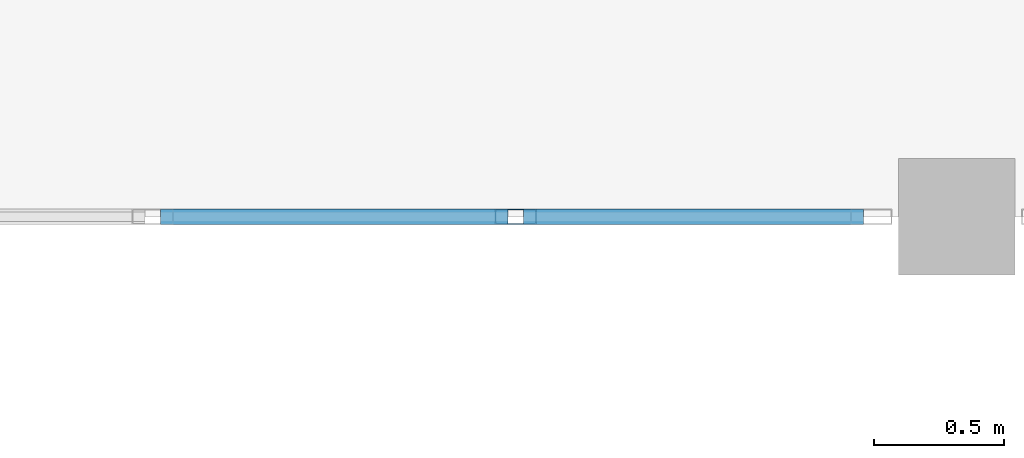
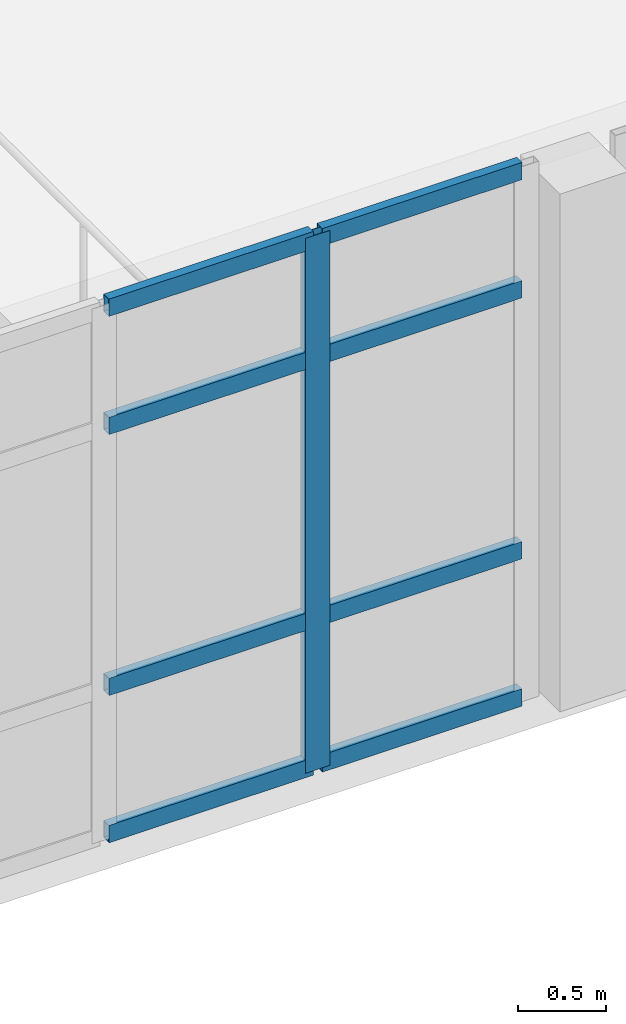
# One storey, part 74 of 156: 9 members, 1 element without a shape of its own.
"""IFC4 building model written with IfcOpenShell, lengths in metres."""

from ifc_helpers import new_model, si_unit, direction, frame, origin, origin_2d, place, context, subcontext, project, spatial, hollow_rectangle, extrude, material, layer, layer_set, material_profile, profile_set, type_object, element, aggregate, save


model = new_model("IFC4")

# Units and contexts
model_context = context("Model", 3, precision=1e-05, world=origin(), true_north=direction((0.0, 1.0)))
body_context = subcontext(model_context, "Body", "Model", "MODEL_VIEW")
ifc_project = project(units=[si_unit("LENGTHUNIT", "METRE"), si_unit("AREAUNIT", "SQUARE_METRE"), si_unit("VOLUMEUNIT", "CUBIC_METRE"), si_unit("PLANEANGLEUNIT", "RADIAN"), si_unit("MASSUNIT", "GRAM", prefix="KILO")], contexts=[model_context])

# Site, building, storey
site_placement = place(None, origin())
site = spatial("IfcSite", under=ifc_project, at=site_placement, CompositionType="ELEMENT")
building_placement = place(site_placement, origin())
building = spatial("IfcBuilding", under=site, at=building_placement, Name="Ornek Quay Market", CompositionType="ELEMENT")
storey_placement = place(building_placement, frame((0.0, 0.0, 4.5)))
storey = spatial("IfcBuildingStorey", under=building, at=storey_placement, Name="L01", CompositionType="ELEMENT", Elevation=4.5)

# Curtain wall, members
ifc_material_1 = material(Name="Anodised bronze aluminium and triple low-e glass", Category="aluminium")
ifc_layer = layer(ifc_material_1, 0.179931640625, Name="Anodised bronze aluminium and triple low-e glass", Category="aluminium")
ifc_layer_set = layer_set([ifc_layer], Name="Anodised bronze aluminium and triple low-e glass")
curtain_wall_type = type_object("IfcCurtainWallType", Name="CW-CONC-MOD1500", PredefinedType="USERDEFINED", material=ifc_layer_set)
curtain_wall_placement = place(storey_placement, origin())
curtain_wall = element("IfcCurtainWall", 1, at=curtain_wall_placement, inside=storey, type_object=curtain_wall_type, Name="Curtain wall CW-040", ObjectType="CURTAIN WALL", PredefinedType="USERDEFINED")
ifc_material_2 = material(Name="Anodised aluminium 6063-T6", Category="aluminium")
ifc_material_profile_1 = material_profile(ifc_material_2, hollow_rectangle(XDim=0.06005859375, YDim=0.159912109375, WallThickness=0.00390625, at=origin_2d()), Name="CW-MUL-60x160", Category="aluminium")
ifc_profile_set_1 = profile_set([ifc_material_profile_1], Name="Anodised aluminium 6063-T6")
member_type_1 = type_object("IfcMemberType", Name="CW-MUL-60x160", PredefinedType="MULLION", material=ifc_profile_set_1)
member_1_placement = place(storey_placement, frame((142.300048828125, 20.0, 0.0), z_axis=(0.0, 0.0, 1.0), x_axis=(0.0, 1.0, 0.0)))
member_1 = element("IfcMember", 2, at=member_1_placement, type_object=member_type_1, Name="CW-040 mullion 6", PredefinedType="MULLION", context=body_context, shape_type="SweptSolid", body=[
    extrude(hollow_rectangle(XDim=0.06005859375, YDim=0.159912109375, WallThickness=0.00390625, at=origin_2d()), origin(), (0.0, 0.0, 1.0), 3.7099609375),
])
ifc_material_profile_2 = material_profile(ifc_material_2, hollow_rectangle(XDim=0.06005859375, YDim=0.1201171875, WallThickness=0.00390625, at=origin_2d()), Name="CW-TRN-60x120", Category="aluminium")
ifc_profile_set_2 = profile_set([ifc_material_profile_2], Name="Anodised aluminium 6063-T6")
member_type_2 = type_object("IfcMemberType", Name="CW-TRN-60x120", PredefinedType="USERDEFINED", material=ifc_profile_set_2)
member_2_placement = place(storey_placement, frame((140.929931640625, 20.0, 0.030029296875), z_axis=(1.0, 0.0, 0.0), x_axis=(0.0, 1.0, 0.0)))
member_2 = element("IfcMember", 3, at=member_2_placement, type_object=member_type_2, Name="CW-040 transom 5.1", ObjectType="TRANSOM", PredefinedType="USERDEFINED", context=body_context, shape_type="SweptSolid", body=[
    extrude(hollow_rectangle(XDim=0.06005859375, YDim=0.1201171875, WallThickness=0.00390625, at=origin_2d()), origin(), (0.0, 0.0, 1.0), 1.340087890625),
])
member_3_placement = place(storey_placement, frame((140.929931640625, 20.0, 1.050048828125), z_axis=(1.0, 0.0, 0.0), x_axis=(0.0, 1.0, 0.0)))
member_3 = element("IfcMember", 4, at=member_3_placement, type_object=member_type_2, Name="CW-040 transom 5.2", ObjectType="TRANSOM", PredefinedType="USERDEFINED", context=body_context, shape_type="SweptSolid", body=[
    extrude(hollow_rectangle(XDim=0.06005859375, YDim=0.1201171875, WallThickness=0.00390625, at=origin_2d()), origin(), (0.0, 0.0, 1.0), 1.340087890625),
])
member_4_placement = place(storey_placement, frame((140.929931640625, 20.0, 2.860107421875), z_axis=(1.0, 0.0, 0.0), x_axis=(0.0, 1.0, 0.0)))
member_4 = element("IfcMember", 5, at=member_4_placement, type_object=member_type_2, Name="CW-040 transom 5.3", ObjectType="TRANSOM", PredefinedType="USERDEFINED", context=body_context, shape_type="SweptSolid", body=[
    extrude(hollow_rectangle(XDim=0.06005859375, YDim=0.1201171875, WallThickness=0.00390625, at=origin_2d()), origin(), (0.0, 0.0, 1.0), 1.340087890625),
])
member_5_placement = place(storey_placement, frame((140.929931640625, 20.0, 3.679931640625), z_axis=(1.0, 0.0, 0.0), x_axis=(0.0, 1.0, 0.0)))
member_5 = element("IfcMember", 6, at=member_5_placement, type_object=member_type_2, Name="CW-040 transom 5.4", ObjectType="TRANSOM", PredefinedType="USERDEFINED", context=body_context, shape_type="SweptSolid", body=[
    extrude(hollow_rectangle(XDim=0.06005859375, YDim=0.1201171875, WallThickness=0.00390625, at=origin_2d()), origin(), (0.0, 0.0, 1.0), 1.340087890625),
])
member_6_placement = place(storey_placement, frame((142.330078125, 20.0, 0.030029296875), z_axis=(1.0, 0.0, 0.0), x_axis=(0.0, 1.0, 0.0)))
member_6 = element("IfcMember", 7, at=member_6_placement, type_object=member_type_2, Name="CW-040 transom 6.1", ObjectType="TRANSOM", PredefinedType="USERDEFINED", context=body_context, shape_type="SweptSolid", body=[
    extrude(hollow_rectangle(XDim=0.06005859375, YDim=0.1201171875, WallThickness=0.00390625, at=origin_2d()), origin(), (0.0, 0.0, 1.0), 1.309814453125),
])
member_7_placement = place(storey_placement, frame((142.330078125, 20.0, 1.050048828125), z_axis=(1.0, 0.0, 0.0), x_axis=(0.0, 1.0, 0.0)))
member_7 = element("IfcMember", 8, at=member_7_placement, type_object=member_type_2, Name="CW-040 transom 6.2", ObjectType="TRANSOM", PredefinedType="USERDEFINED", context=body_context, shape_type="SweptSolid", body=[
    extrude(hollow_rectangle(XDim=0.06005859375, YDim=0.1201171875, WallThickness=0.00390625, at=origin_2d()), origin(), (0.0, 0.0, 1.0), 1.309814453125),
])
member_8_placement = place(storey_placement, frame((142.330078125, 20.0, 2.860107421875), z_axis=(1.0, 0.0, 0.0), x_axis=(0.0, 1.0, 0.0)))
member_8 = element("IfcMember", 9, at=member_8_placement, type_object=member_type_2, Name="CW-040 transom 6.3", ObjectType="TRANSOM", PredefinedType="USERDEFINED", context=body_context, shape_type="SweptSolid", body=[
    extrude(hollow_rectangle(XDim=0.06005859375, YDim=0.1201171875, WallThickness=0.00390625, at=origin_2d()), origin(), (0.0, 0.0, 1.0), 1.309814453125),
])
member_9_placement = place(storey_placement, frame((142.330078125, 20.0, 3.679931640625), z_axis=(1.0, 0.0, 0.0), x_axis=(0.0, 1.0, 0.0)))
member_9 = element("IfcMember", 10, at=member_9_placement, type_object=member_type_2, Name="CW-040 transom 6.4", ObjectType="TRANSOM", PredefinedType="USERDEFINED", context=body_context, shape_type="SweptSolid", body=[
    extrude(hollow_rectangle(XDim=0.06005859375, YDim=0.1201171875, WallThickness=0.00390625, at=origin_2d()), origin(), (0.0, 0.0, 1.0), 1.309814453125),
])
aggregate(curtain_wall, [member_1, member_2, member_3, member_4, member_5, member_6, member_7, member_8, member_9])

save(model, "model.ifc")
